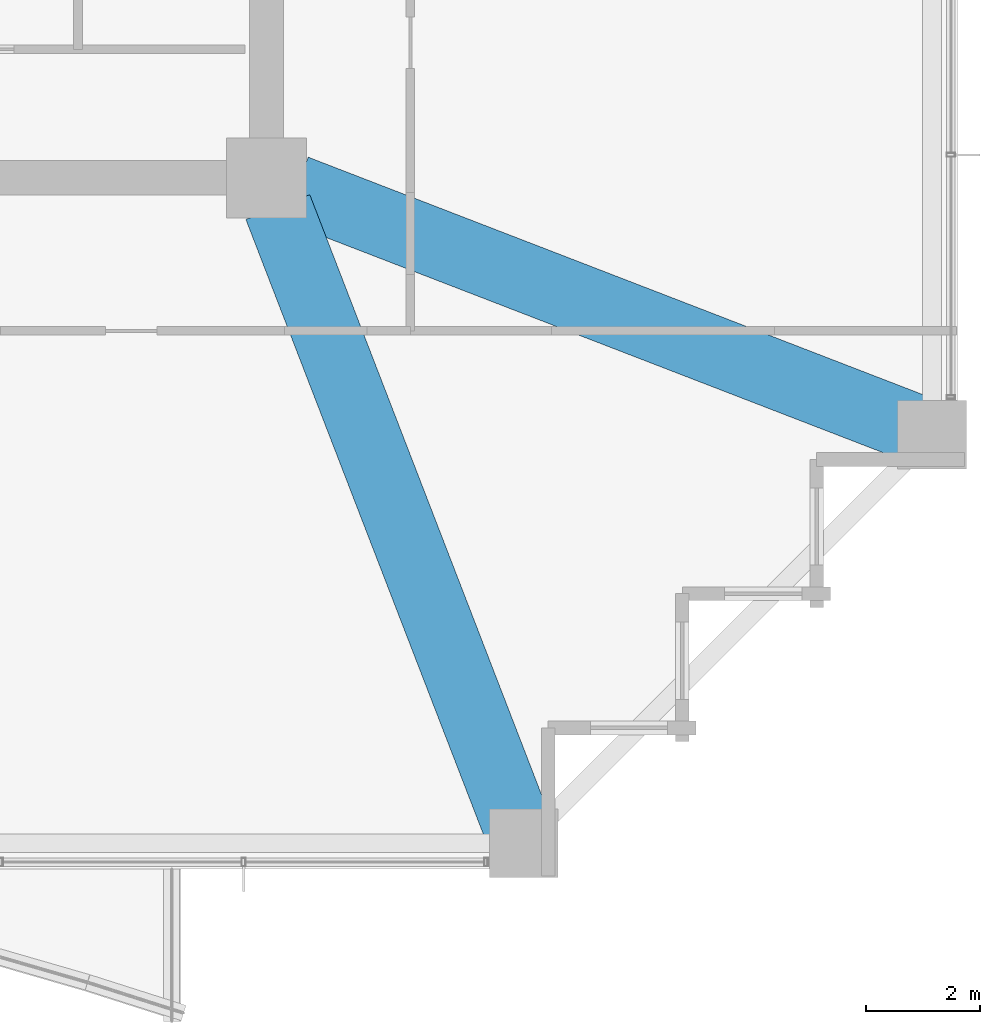
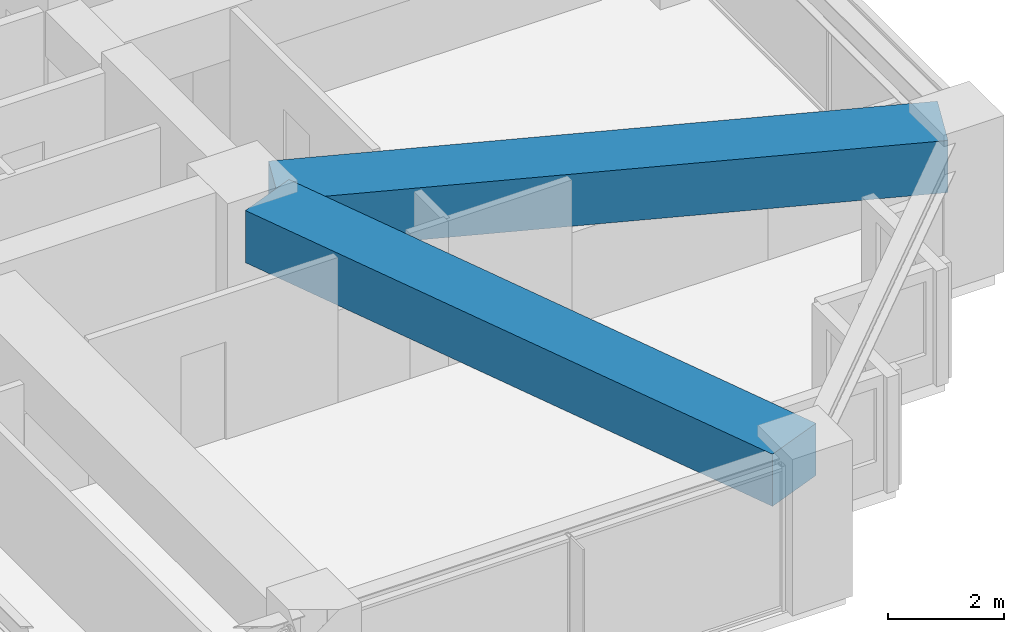
# One storey, part 12 of 37: 2 beams.
"""IFC4 building model written with IfcOpenShell, lengths in metres."""

from ifc_helpers import new_model, si_unit, direction, frame, origin, origin_2d, place, context, subcontext, project, spatial, rectangle, extrude, material, material_profile, profile_set, type_object, element, save


model = new_model("IFC4")

# Units and contexts
model_context = context("Model", 3, precision=1e-05, world=origin(), true_north=direction((0.0, 1.0)))
body_context = subcontext(model_context, "Body", "Model", "MODEL_VIEW")
ifc_project = project(units=[si_unit("LENGTHUNIT", "METRE"), si_unit("AREAUNIT", "SQUARE_METRE"), si_unit("VOLUMEUNIT", "CUBIC_METRE"), si_unit("PLANEANGLEUNIT", "RADIAN"), si_unit("MASSUNIT", "GRAM", prefix="KILO")], contexts=[model_context])

# Site, building, storey
site_placement = place(None, origin())
site = spatial("IfcSite", under=ifc_project, at=site_placement, CompositionType="ELEMENT")
building_placement = place(site_placement, origin())
building = spatial("IfcBuilding", under=site, at=building_placement, Name="Kolvaren Belvedere", CompositionType="ELEMENT")
storey_placement = place(building_placement, frame((0.0, 0.0, 37.0)))
storey = spatial("IfcBuildingStorey", under=building, at=storey_placement, Name="L10", CompositionType="ELEMENT", Elevation=37.0)

# Beams
ifc_material = material(Name="Concrete C50/60", Category="concrete")
ifc_material_profile = material_profile(ifc_material, rectangle(XDim=1.199951171875, YDim=1.10009765625, at=origin_2d()), Name="RC 1200X1100")
ifc_profile_set = profile_set([ifc_material_profile], Name="Concrete C50/60")
beam_type = type_object("IfcBeamType", Name="BM-TG-1100", PredefinedType="BEAM", material=ifc_profile_set)
for number, where, z_axis, x_axis, name in (
    (1, (10.09814453125, -10.4130859375, 2.510009765625), (0.360318391835, -0.932829382313, 0.0), (0.932829382313, 0.360318391835, 0.0), "L10 Corner Core-to-Perimeter Girder CC2-S4"),
    (2, (10.4130859375, -10.09814453125, 2.510009765625), (0.932829382313, -0.360318391835, 0.0), (0.360318391835, 0.932829382313, 0.0), "L10 Corner Core-to-Perimeter Girder CC2-E1"),
):
    element("IfcBeam", number, at=place(storey_placement, frame(where, z_axis=z_axis, x_axis=x_axis)), inside=storey, type_object=beam_type, Name=name, PredefinedType="BEAM", context=body_context, shape_type="SweptSolid", body=[
        extrude(rectangle(XDim=1.199951171875, YDim=1.10009765625, at=origin_2d()), origin(), (0.0, 0.0, 1.0), 11.698974609375),
    ])

save(model, "model.ifc")
